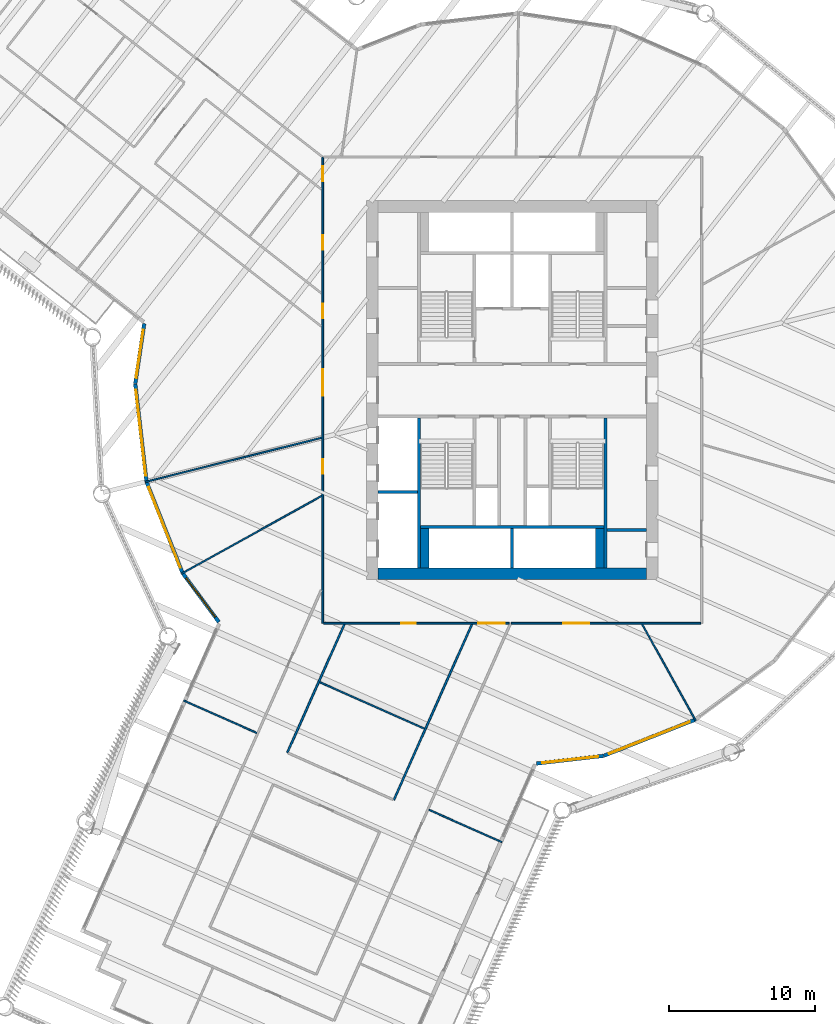
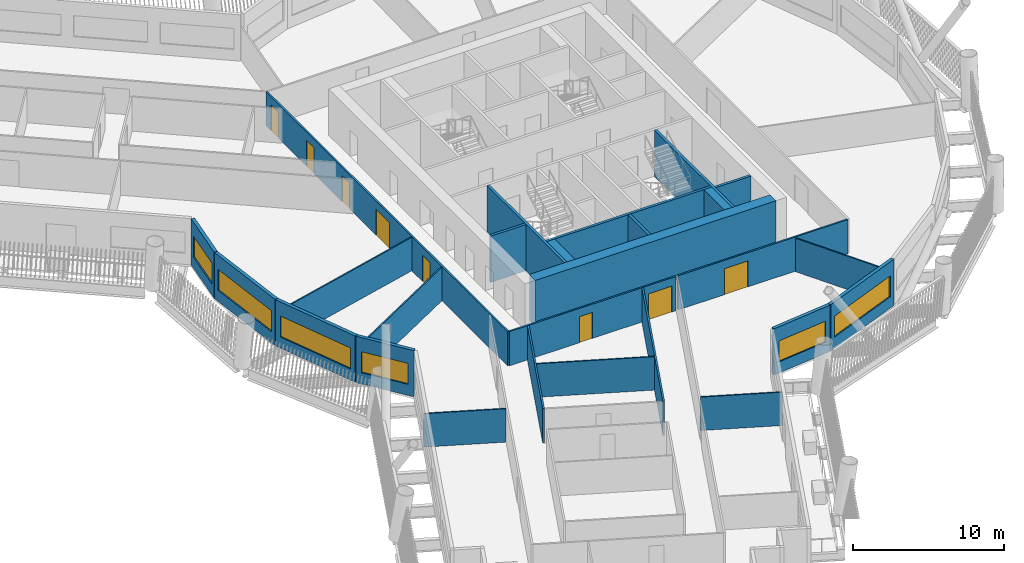
# One storey, part 4 of 22: 26 walls, 8 doors, 6 windows, 14 openings.
"""IFC4 building model written with IfcOpenShell, lengths in metres."""

import ifcopenshell
import ifcopenshell.guid

model = None  # the IFC model being written
_history = None  # IfcOwnerHistory: only IFC2X3 demands one
_inside = {}  # id of a spatial element -> (the spatial element, [elements in it])
_under = {}  # id of a project, library or spatial element -> (it, [spatial elements below it])
_declared = {}  # id of a project -> (the project, [libraries it declares])
_typed = {}  # id of a type object -> (the type object, [elements of that type])
_made_of = {}  # id of a material, layer set ... -> (it, [elements and type objects made of it])


def new_model(schema):
    """Start an empty IFC model of exactly this schema.

    Asked for "IFC4X3", IfcOpenShell would pick the latest addendum, in which some entities
    have other attributes; the version numbers below select the first issue.
    IFC2X3 requires an IfcOwnerHistory on every rooted entity: one is made here for all.
    """
    global model, _history
    if schema == "IFC4X3":
        model = ifcopenshell.file(schema_version=(4, 3, 0, 0))
    else:
        model = ifcopenshell.file(schema=schema)
    _inside.clear()
    _under.clear()
    _declared.clear()
    _typed.clear()
    _made_of.clear()
    _history = None
    if model.schema == "IFC2X3":
        org = make("IfcOrganization", Name="unknown")
        user = make(
            "IfcPersonAndOrganization",
            ThePerson=make("IfcPerson", FamilyName="unknown"),
            TheOrganization=org,
        )
        app = make(
            "IfcApplication",
            ApplicationDeveloper=org,
            Version="unknown",
            ApplicationFullName="unknown",
            ApplicationIdentifier="unknown",
        )
        _history = make(
            "IfcOwnerHistory",
            OwningUser=user,
            OwningApplication=app,
            ChangeAction="ADDED",
            CreationDate=0,
        )
    return model


def make(cls, **values):
    """One entity of the class cls with the attributes given. An attribute that is None is left unset."""
    return model.create_entity(
        cls, **{name: value for name, value in values.items() if value is not None}
    )


def rooted(cls, **values):
    """An entity with a GlobalId (a new one), such as an element, a storey or a relation."""
    return make(cls, GlobalId=ifcopenshell.guid.new(), OwnerHistory=_history, **values)


def si_unit(unit_type, name, prefix=None):
    """IfcSIUnit, for example si_unit("LENGTHUNIT", "METRE", prefix="MILLI")."""
    return make("IfcSIUnit", UnitType=unit_type, Prefix=prefix, Name=name)


def assignment(units):
    """IfcUnitAssignment: the units of a project."""
    return None if units is None else make("IfcUnitAssignment", Units=units)


def point(xyz):
    """IfcCartesianPoint."""
    return None if xyz is None else make("IfcCartesianPoint", Coordinates=xyz)


def direction(xyz):
    """IfcDirection."""
    return None if xyz is None else make("IfcDirection", DirectionRatios=xyz)


def frame(location, z_axis=None, x_axis=None):
    """IfcAxis2Placement3D, a coordinate frame: its origin and axes. An axis left out is left unset."""
    return make(
        "IfcAxis2Placement3D",
        Location=point(location),
        Axis=direction(z_axis),
        RefDirection=direction(x_axis),
    )


def frame_2d(location, x_axis=None):
    """IfcAxis2Placement2D, a coordinate frame in the plane: its origin and x axis."""
    return make(
        "IfcAxis2Placement2D", Location=point(location), RefDirection=direction(x_axis)
    )


def origin():
    """The frame at (0, 0, 0) with its axes left unset."""
    return frame((0.0, 0.0, 0.0))


def place(relative_to, where):
    """IfcLocalPlacement: puts the frame where relative to a parent placement (None: the world)."""
    return make(
        "IfcLocalPlacement", PlacementRelTo=relative_to, RelativePlacement=where
    )


def context(
    kind, dimensions, precision=None, world=None, true_north=None, identifier=None
):
    """IfcGeometricRepresentationContext, for example the 3D "Model" context."""
    return make(
        "IfcGeometricRepresentationContext",
        ContextIdentifier=identifier,
        ContextType=kind,
        CoordinateSpaceDimension=dimensions,
        Precision=precision,
        WorldCoordinateSystem=world,
        TrueNorth=true_north,
    )


def subcontext(parent, identifier, kind, view, scale=None):
    """IfcGeometricRepresentationSubContext, for example "Body" below "Model"."""
    return make(
        "IfcGeometricRepresentationSubContext",
        ContextIdentifier=identifier,
        ContextType=kind,
        ParentContext=parent,
        TargetScale=scale,
        TargetView=view,
    )


def project(units=None, contexts=None):
    """IfcProject with its units and contexts."""
    return rooted(
        "IfcProject",
        Name="project",
        RepresentationContexts=contexts,
        UnitsInContext=assignment(units),
    )


def spatial(cls, under=None, at=None, **own):
    """A site, building, storey or space (cls), placed at a placement, below another one or the project."""
    s = rooted(cls, ObjectPlacement=at, **own)
    if under is not None:
        _under.setdefault(under.id(), (under, []))[1].append(s)
    return s


def profile(cls, at=None, kind="AREA", **sizes):
    """A parametric profile (cls). Its sizes go by their IFC names, for example OverallWidth=200.0."""
    return make(cls, ProfileType=kind, Position=at, **sizes)


def rectangle(**sizes):
    """IfcRectangleProfileDef."""
    return profile("IfcRectangleProfileDef", **sizes)


def extrude(swept, where, along, depth):
    """IfcExtrudedAreaSolid: the profile swept, set in the frame where, extruded along a direction by depth."""
    return make(
        "IfcExtrudedAreaSolid",
        SweptArea=swept,
        Position=where,
        ExtrudedDirection=direction(along),
        Depth=depth,
    )


def shape(context_of_items, identifier, shape_type, items):
    """IfcShapeRepresentation: the items that make up one representation, for example the "Body"."""
    return make(
        "IfcShapeRepresentation",
        ContextOfItems=context_of_items,
        RepresentationIdentifier=identifier,
        RepresentationType=shape_type,
        Items=items,
    )


def material(Name=None, Category=None):
    """IfcMaterial."""
    return make("IfcMaterial", Name=Name, Category=Category)


def layer(
    of_material, thickness, ventilated=None, Name=None, Category=None, Priority=None
):
    """IfcMaterialLayer: one layer of a wall or slab, of a material (None: an air gap)."""
    return make(
        "IfcMaterialLayer",
        Material=of_material,
        LayerThickness=thickness,
        IsVentilated=ventilated,
        Name=Name,
        Category=Category,
        Priority=Priority,
    )


def layer_set(layers, Name=None):
    """IfcMaterialLayerSet."""
    return make("IfcMaterialLayerSet", MaterialLayers=layers, LayerSetName=Name)


def made_of(thing, what):
    """Note that an element or type object is made of a material, layer set ...; save() writes the relation."""
    if what is not None:
        _made_of.setdefault(what.id(), (what, []))[1].append(thing)
    return thing


def type_object(cls, material=None, **own):
    """A type object (cls), such as IfcWallType, which elements share."""
    return made_of(rooted(cls, **own), material)


def element(
    cls,
    number,
    at=None,
    inside=None,
    cuts=None,
    type_object=None,
    material=None,
    context=None,
    identifier="Body",
    shape_type=None,
    held_by="IfcProductDefinitionShape",
    body=None,
    shapes=None,
    **own,
):
    """One element of the class cls, such as IfcWall. Its Tag is "e" and its number.

    at: its placement. inside: the storey or other place that contains it. cuts: it is an
    opening in that element (IfcRelVoidsElement). A single representation is given by context,
    identifier, shape_type and body (its items); several are given by shapes. held_by: the class
    of the entity that holds the representations. save() writes the other relations.
    """
    e = rooted(cls, Tag="e%d" % number, ObjectPlacement=at, **own)
    if body is not None:
        shapes = [shape(context, identifier, shape_type, body)]
    if shapes is not None:
        e.Representation = make(held_by, Representations=shapes)
    if inside is not None:
        _inside.setdefault(inside.id(), (inside, []))[1].append(e)
    if cuts is not None:
        rooted(
            "IfcRelVoidsElement", RelatingBuildingElement=cuts, RelatedOpeningElement=e
        )
    if type_object is not None:
        _typed.setdefault(type_object.id(), (type_object, []))[1].append(e)
    return made_of(e, material)


def fill(opening, filler):
    """IfcRelFillsElement: the door or window that sits in an opening."""
    return rooted(
        "IfcRelFillsElement",
        RelatingOpeningElement=opening,
        RelatedBuildingElement=filler,
    )


def aggregate(whole, parts):
    """IfcRelAggregates: a whole, such as a stair, and the parts it consists of."""
    return rooted("IfcRelAggregates", RelatingObject=whole, RelatedObjects=parts)


def save(model, path):
    """Write the relations noted so far, then the file.

    IfcRelAggregates (storeys below a building ...), IfcRelContainedInSpatialStructure (elements
    in a storey), IfcRelDefinesByType, IfcRelAssociatesMaterial and IfcRelDeclares: one each for
    every whole, place, type object, material and project.
    """
    for whole, parts in _under.values():
        aggregate(whole, parts)
    for where, things in _inside.values():
        rooted(
            "IfcRelContainedInSpatialStructure",
            RelatedElements=things,
            RelatingStructure=where,
        )
    for kind, things in _typed.values():
        rooted("IfcRelDefinesByType", RelatedObjects=things, RelatingType=kind)
    for what, things in _made_of.values():
        rooted("IfcRelAssociatesMaterial", RelatedObjects=things, RelatingMaterial=what)
    for by, libraries in _declared.values():
        rooted("IfcRelDeclares", RelatingContext=by, RelatedDefinitions=libraries)
    model.write(path)


model = new_model("IFC4")

# Units and contexts
model_context = context("Model", 3, precision=1e-05, world=origin(), true_north=direction((0.0, 1.0)))
body_context = subcontext(model_context, "Body", "Model", "MODEL_VIEW")
ifc_project = project(units=[si_unit("LENGTHUNIT", "METRE"), si_unit("AREAUNIT", "SQUARE_METRE"), si_unit("VOLUMEUNIT", "CUBIC_METRE"), si_unit("PLANEANGLEUNIT", "RADIAN"), si_unit("MASSUNIT", "GRAM", prefix="KILO")], contexts=[model_context])

# Site, building, storey
site_placement = place(None, origin())
site = spatial("IfcSite", under=ifc_project, at=site_placement, CompositionType="ELEMENT")
building_placement = place(site_placement, origin())
building = spatial("IfcBuilding", under=site, at=building_placement, Name="Tarsis Ring Headquarters", CompositionType="ELEMENT")
storey_placement = place(building_placement, frame((0.0, 0.0, 116.199951171875)))
storey = spatial("IfcBuildingStorey", under=building, at=storey_placement, Name="L26", CompositionType="ELEMENT", Elevation=116.199951171875)

# Walls
ifc_material_1 = material(Name="Blockwork", Category="masonry")
ifc_layer_1 = layer(ifc_material_1, 0.199951171875)
ifc_layer_set_1 = layer_set([ifc_layer_1], Name="Core blockwork wall 200")
wall_type_1 = type_object("IfcWallType", Name="Core blockwork wall 200", PredefinedType="PARTITIONING", material=ifc_layer_set_1)
wall_1_placement = place(storey_placement, frame((6.5, -9.60009765625, 0.0), z_axis=(0.0, 0.0, 1.0), x_axis=(1.0, 0.0, 0.0)))
element("IfcWall", 1, at=wall_1_placement, inside=storey, type_object=wall_type_1, Name="Core partition ED1", PredefinedType="PARTITIONING", context=body_context, shape_type="SweptSolid", body=[
    extrude(rectangle(XDim=2.699951171875, YDim=0.199951171875, at=frame_2d((1.35009765625, 0.0))), origin(), (0.0, 0.0, 1.0), 3.739990234375),
])
ifc_material_2 = material(Name="Concrete C60/75", Category="concrete")
ifc_layer_2 = layer(ifc_material_2, 0.800048828125)
ifc_layer_set_2 = layer_set([ifc_layer_2], Name="Core wall 800 C60/75")
wall_type_2 = type_object("IfcWallType", Name="Core wall 800 C60/75", PredefinedType="SHEAR", material=ifc_layer_set_2)
wall_2_placement = place(storey_placement, frame((-9.199951171875, -12.60009765625, 0.0), z_axis=(0.0, 0.0, 1.0), x_axis=(1.0, 0.0, 0.0)))
element("IfcWall", 2, at=wall_2_placement, inside=storey, type_object=wall_type_2, Name="Core wall OS", PredefinedType="SHEAR", context=body_context, shape_type="SweptSolid", body=[
    extrude(rectangle(XDim=18.39990234375, YDim=0.800048828125, at=frame_2d((9.199951171875, 0.0))), origin(), (0.0, 0.0, 1.0), 3.739990234375),
])
ifc_material_3 = material(Name="Gypsum board on steel studs", Category="steel")
ifc_layer_3 = layer(ifc_material_3, 0.10009765625)
ifc_layer_set_3 = layer_set([ifc_layer_3], Name="FL partition 100 unrated")
wall_type_3 = type_object("IfcWallType", Name="FL partition 100 unrated", PredefinedType="PARTITIONING", material=ifc_layer_set_3)
wall_3_placement = place(storey_placement, frame((-25.172607421875, -6.294921875, 0.0), z_axis=(0.0, 0.0, 1.0), x_axis=(0.970125233154, 0.242604682557, 0.0)))
element("IfcWall", 3, at=wall_3_placement, inside=storey, type_object=wall_type_3, Name="Partition PW3", PredefinedType="PARTITIONING", context=body_context, shape_type="SweptSolid", body=[
    extrude(rectangle(XDim=12.4775390625, YDim=0.10009765625, at=frame_2d((6.23876953125, 0.0))), origin(), (0.0, 0.0, 1.0), 2.699951171875),
])
wall_4_placement = place(storey_placement, frame((-22.685791015625, -12.595703125, 0.0), z_axis=(0.0, 0.0, 1.0), x_axis=(0.87428614953, 0.485410886507, 0.0)))
element("IfcWall", 4, at=wall_4_placement, inside=storey, type_object=wall_type_3, Name="Partition PW3", PredefinedType="PARTITIONING", context=body_context, shape_type="SweptSolid", body=[
    extrude(rectangle(XDim=10.988525390625, YDim=0.10009765625, at=frame_2d((5.494140625, 0.0))), origin(), (0.0, 0.0, 1.0), 2.699951171875),
])
wall_5_placement = place(storey_placement, frame((-13.207763671875, -20.04345703125, 0.0), z_axis=(0.0, 0.0, 1.0), x_axis=(0.913829480145, -0.406098117723, 0.0)))
element("IfcWall", 5, at=wall_5_placement, inside=storey, type_object=wall_type_3, Name="Partition PW3", PredefinedType="PARTITIONING", context=body_context, shape_type="SweptSolid", body=[
    extrude(rectangle(XDim=7.85986328125, YDim=0.10009765625, at=frame_2d((3.929931640625, 0.0))), origin(), (0.0, 0.0, 1.0), 2.699951171875),
])
wall_6_placement = place(storey_placement, frame((8.92724609375, -16.07861328125, 0.0), z_axis=(0.0, 0.0, 1.0), x_axis=(0.485420739768, -0.874280678846, 0.0)))
element("IfcWall", 6, at=wall_6_placement, inside=storey, type_object=wall_type_3, Name="Partition PW3", PredefinedType="PARTITIONING", context=body_context, shape_type="SweptSolid", body=[
    extrude(rectangle(XDim=7.557373046875, YDim=0.10009765625, at=frame_2d((3.77880859375, 0.0))), origin(), (0.0, 0.0, 1.0), 2.699951171875),
])
for number, where, z_axis, x_axis, name in (
    (7, (-5.71826171875, -28.799560546875, 0.0), (0.0, 0.0, 1.0), (0.91383543019, -0.406084728265, 0.0), "Partition PW3"),
    (8, (-22.542724609375, -21.30078125, 0.0), (0.0, 0.0, 1.0), (0.913818896999, -0.406121931798, 0.0), "Partition PW3"),
):
    element("IfcWall", number, at=place(storey_placement, frame(where, z_axis=z_axis, x_axis=x_axis)), inside=storey, type_object=wall_type_3, Name=name, PredefinedType="PARTITIONING", context=body_context, shape_type="SweptSolid", body=[
        extrude(rectangle(XDim=5.47998046875, YDim=0.10009765625, at=frame_2d((2.739990234375, 0.0))), origin(), (0.0, 0.0, 1.0), 2.699951171875),
    ])

# Wall, openings, doors
ifc_layer_4 = layer(ifc_material_3, 0.125)
ifc_layer_set_4 = layer_set([ifc_layer_4], Name="FL partition 125 EI 60 H2770")
wall_type_4 = type_object("IfcWallType", Name="FL partition 125 EI 60 H2770", PredefinedType="PARTITIONING", material=ifc_layer_set_4)
wall_7_placement = place(storey_placement, frame((-13.0, -16.0, 0.0), z_axis=(0.0, 0.0, 1.0), x_axis=(0.0, 1.0, 0.0)))
wall_7 = element("IfcWall", 9, at=wall_7_placement, inside=storey, type_object=wall_type_4, Name="Partition PW1", PredefinedType="PARTITIONING", context=body_context, shape_type="SweptSolid", body=[
    extrude(rectangle(XDim=31.989013671875, YDim=0.125, at=frame_2d((15.99462890625, 0.0))), origin(), (0.0, 0.0, 1.0), 2.77001953125),
])
opening_1_placement = place(wall_7_placement, frame((10.265625, 0.0, 0.0)))
opening_1 = element("IfcOpeningElement", 10, at=opening_1_placement, cuts=wall_7, Name="Opening D26.14", PredefinedType="OPENING", context=body_context, shape_type="SweptSolid", body=[
    extrude(rectangle(XDim=1.0, YDim=2.10009765625, at=frame_2d((0.5, 1.050048828125))), frame((0.0, 0.072509765625, 0.0), z_axis=(0.0, -1.0, 0.0), x_axis=(1.0, 0.0, 0.0)), (0.0, 0.0, 1.0), 0.14501953125),
])
opening_2_placement = place(wall_7_placement, frame((15.6220703125, 0.0, 0.0)))
opening_2 = element("IfcOpeningElement", 11, at=opening_2_placement, cuts=wall_7, Name="Opening D26.15", PredefinedType="OPENING", context=body_context, shape_type="SweptSolid", body=[
    extrude(rectangle(XDim=1.800048828125, YDim=2.10009765625, at=frame_2d((0.89990234375, 1.050048828125))), frame((0.0, 0.072509765625, 0.0), z_axis=(0.0, -1.0, 0.0), x_axis=(1.0, 0.0, 0.0)), (0.0, 0.0, 1.0), 0.14501953125),
])
opening_3_placement = place(wall_7_placement, frame((25.64208984375, 0.0, 0.0)))
opening_3 = element("IfcOpeningElement", 12, at=opening_3_placement, cuts=wall_7, Name="Opening D26.16", PredefinedType="OPENING", context=body_context, shape_type="SweptSolid", body=[
    extrude(rectangle(XDim=1.0, YDim=2.10009765625, at=frame_2d((0.5, 1.050048828125))), frame((0.0, 0.072509765625, 0.0), z_axis=(0.0, -1.0, 0.0), x_axis=(1.0, 0.0, 0.0)), (0.0, 0.0, 1.0), 0.14501953125),
])
opening_4_placement = place(wall_7_placement, frame((20.9365234375, 0.0, 0.0)))
opening_4 = element("IfcOpeningElement", 13, at=opening_4_placement, cuts=wall_7, Name="Opening D26.24", PredefinedType="OPENING", context=body_context, shape_type="SweptSolid", body=[
    extrude(rectangle(XDim=1.0, YDim=2.10009765625, at=frame_2d((0.5, 1.050048828125))), frame((0.0, 0.072509765625, 0.0), z_axis=(0.0, -1.0, 0.0), x_axis=(1.0, 0.0, 0.0)), (0.0, 0.0, 1.0), 0.14501953125),
])
opening_5_placement = place(wall_7_placement, frame((30.34765625, 0.0, 0.0)))
opening_5 = element("IfcOpeningElement", 14, at=opening_5_placement, cuts=wall_7, Name="Opening D26.25", PredefinedType="OPENING", context=body_context, shape_type="SweptSolid", body=[
    extrude(rectangle(XDim=1.0, YDim=2.10009765625, at=frame_2d((0.5, 1.050048828125))), frame((0.0, 0.072509765625, 0.0), z_axis=(0.0, -1.0, 0.0), x_axis=(1.0, 0.0, 0.0)), (0.0, 0.0, 1.0), 0.14501953125),
])
ifc_material_4 = material(Name="Fire-rated timber door leaf in steel frame", Category="steel")
door_type_1 = type_object("IfcDoorType", Name="FL door FD60-1000", OperationType="NOTDEFINED", PredefinedType="DOOR", material=ifc_material_4)
door_1_placement = place(opening_1_placement, origin())
door_1 = element("IfcDoor", 15, at=door_1_placement, inside=storey, type_object=door_type_1, Name="Door D26.14", OperationType="SINGLE_SWING_RIGHT", OverallHeight=2.10009765625, OverallWidth=1.0, PredefinedType="DOOR", context=body_context, shape_type="SweptSolid", body=[
    extrude(rectangle(XDim=1.0, YDim=2.10009765625, at=frame_2d((0.5, 1.050048828125))), frame((0.0, 0.02490234375, 0.0), z_axis=(0.0, -1.0, 0.0), x_axis=(1.0, 0.0, 0.0)), (0.0, 0.0, 1.0), 0.050048828125),
])
fill(opening_1, door_1)
door_2_placement = place(opening_3_placement, origin())
door_2 = element("IfcDoor", 16, at=door_2_placement, inside=storey, type_object=door_type_1, Name="Door D26.16", OperationType="SINGLE_SWING_RIGHT", OverallHeight=2.10009765625, OverallWidth=1.0, PredefinedType="DOOR", context=body_context, shape_type="SweptSolid", body=[
    extrude(rectangle(XDim=1.0, YDim=2.10009765625, at=frame_2d((0.5, 1.050048828125))), frame((0.0, 0.02490234375, 0.0), z_axis=(0.0, -1.0, 0.0), x_axis=(1.0, 0.0, 0.0)), (0.0, 0.0, 1.0), 0.050048828125),
])
fill(opening_3, door_2)
door_3_placement = place(opening_4_placement, origin())
door_3 = element("IfcDoor", 17, at=door_3_placement, inside=storey, type_object=door_type_1, Name="Door D26.24", OperationType="SINGLE_SWING_RIGHT", OverallHeight=2.10009765625, OverallWidth=1.0, PredefinedType="DOOR", context=body_context, shape_type="SweptSolid", body=[
    extrude(rectangle(XDim=1.0, YDim=2.10009765625, at=frame_2d((0.5, 1.050048828125))), frame((0.0, 0.02490234375, 0.0), z_axis=(0.0, -1.0, 0.0), x_axis=(1.0, 0.0, 0.0)), (0.0, 0.0, 1.0), 0.050048828125),
])
fill(opening_4, door_3)
door_4_placement = place(opening_5_placement, origin())
door_4 = element("IfcDoor", 18, at=door_4_placement, inside=storey, type_object=door_type_1, Name="Door D26.25", OperationType="SINGLE_SWING_LEFT", OverallHeight=2.10009765625, OverallWidth=1.0, PredefinedType="DOOR", context=body_context, shape_type="SweptSolid", body=[
    extrude(rectangle(XDim=1.0, YDim=2.10009765625, at=frame_2d((0.5, 1.050048828125))), frame((0.0, 0.02490234375, 0.0), z_axis=(0.0, -1.0, 0.0), x_axis=(1.0, 0.0, 0.0)), (0.0, 0.0, 1.0), 0.050048828125),
])
fill(opening_5, door_4)
door_type_2 = type_object("IfcDoorType", Name="FL door FD60-1800", OperationType="DOUBLE_DOOR_SINGLE_SWING", PredefinedType="DOOR", material=ifc_material_4)
door_5_placement = place(opening_2_placement, origin())
door_5 = element("IfcDoor", 19, at=door_5_placement, inside=storey, type_object=door_type_2, Name="Door D26.15", OperationType="DOUBLE_DOOR_SINGLE_SWING", OverallHeight=2.10009765625, OverallWidth=1.800048828125, PredefinedType="DOOR", context=body_context, shape_type="SweptSolid", body=[
    extrude(rectangle(XDim=1.800048828125, YDim=2.10009765625, at=frame_2d((0.89990234375, 1.050048828125))), frame((0.0, 0.02490234375, 0.0), z_axis=(0.0, -1.0, 0.0), x_axis=(1.0, 0.0, 0.0)), (0.0, 0.0, 1.0), 0.050048828125),
])
fill(opening_2, door_5)

wall_8_placement = place(storey_placement, frame((-12.93994140625, -16.0, 0.0), z_axis=(0.0, 0.0, 1.0), x_axis=(1.0, 0.0, 0.0)))
wall_8 = element("IfcWall", 20, at=wall_8_placement, inside=storey, type_object=wall_type_4, Name="Partition PW1", PredefinedType="PARTITIONING", context=body_context, shape_type="SweptSolid", body=[
    extrude(rectangle(XDim=12.737060546875, YDim=0.125, at=frame_2d((6.36865234375, 0.0))), origin(), (0.0, 0.0, 1.0), 2.77001953125),
])
opening_6_placement = place(wall_8_placement, frame((5.32958984375, 0.0, 0.0)))
opening_6 = element("IfcOpeningElement", 21, at=opening_6_placement, cuts=wall_8, Name="Opening D26.18", PredefinedType="OPENING", context=body_context, shape_type="SweptSolid", body=[
    extrude(rectangle(XDim=1.0, YDim=2.10009765625, at=frame_2d((0.5, 1.050048828125))), frame((0.0, 0.072509765625, 0.0), z_axis=(0.0, -1.0, 0.0), x_axis=(1.0, 0.0, 0.0)), (0.0, 0.0, 1.0), 0.14501953125),
])
opening_7_placement = place(wall_8_placement, frame((10.6201171875, 0.0, 0.0)))
opening_7 = element("IfcOpeningElement", 22, at=opening_7_placement, cuts=wall_8, Name="Opening D26.23", PredefinedType="OPENING", context=body_context, shape_type="SweptSolid", body=[
    extrude(rectangle(XDim=1.800048828125, YDim=2.10009765625, at=frame_2d((0.89990234375, 1.050048828125))), frame((0.0, 0.072509765625, 0.0), z_axis=(0.0, -1.0, 0.0), x_axis=(1.0, 0.0, 0.0)), (0.0, 0.0, 1.0), 0.14501953125),
])
door_6_placement = place(opening_6_placement, origin())
door_6 = element("IfcDoor", 23, at=door_6_placement, inside=storey, type_object=door_type_1, Name="Door D26.18", OperationType="SINGLE_SWING_RIGHT", OverallHeight=2.10009765625, OverallWidth=1.0, PredefinedType="DOOR", context=body_context, shape_type="SweptSolid", body=[
    extrude(rectangle(XDim=1.0, YDim=2.10009765625, at=frame_2d((0.5, 1.050048828125))), frame((0.0, 0.02490234375, 0.0), z_axis=(0.0, -1.0, 0.0), x_axis=(1.0, 0.0, 0.0)), (0.0, 0.0, 1.0), 0.050048828125),
])
fill(opening_6, door_6)
door_7_placement = place(opening_7_placement, origin())
door_7 = element("IfcDoor", 24, at=door_7_placement, inside=storey, type_object=door_type_2, Name="Door D26.23", OperationType="DOUBLE_DOOR_SINGLE_SWING", OverallHeight=2.10009765625, OverallWidth=1.800048828125, PredefinedType="DOOR", context=body_context, shape_type="SweptSolid", body=[
    extrude(rectangle(XDim=1.800048828125, YDim=2.10009765625, at=frame_2d((0.89990234375, 1.050048828125))), frame((0.0, 0.02490234375, 0.0), z_axis=(0.0, -1.0, 0.0), x_axis=(1.0, 0.0, 0.0)), (0.0, 0.0, 1.0), 0.050048828125),
])
fill(opening_7, door_7)

# Wall, opening, door
wall_9_placement = place(storey_placement, frame((-0.0498046875, -16.0, 0.0), z_axis=(0.0, 0.0, 1.0), x_axis=(1.0, 0.0, 0.0)))
wall_9 = element("IfcWall", 25, at=wall_9_placement, inside=storey, type_object=wall_type_4, Name="Partition PW1", PredefinedType="PARTITIONING", context=body_context, shape_type="SweptSolid", body=[
    extrude(rectangle(XDim=12.98974609375, YDim=0.125, at=frame_2d((6.494873046875, 0.0))), origin(), (0.0, 0.0, 1.0), 2.77001953125),
])
opening_8_placement = place(wall_9_placement, frame((3.5380859375, 0.0, 0.0)))
opening_8 = element("IfcOpeningElement", 26, at=opening_8_placement, cuts=wall_9, Name="Opening D26.09", PredefinedType="OPENING", context=body_context, shape_type="SweptSolid", body=[
    extrude(rectangle(XDim=1.800048828125, YDim=2.10009765625, at=frame_2d((0.89990234375, 1.050048828125))), frame((0.0, 0.072509765625, 0.0), z_axis=(0.0, -1.0, 0.0), x_axis=(1.0, 0.0, 0.0)), (0.0, 0.0, 1.0), 0.14501953125),
])
door_8_placement = place(opening_8_placement, origin())
door_8 = element("IfcDoor", 27, at=door_8_placement, inside=storey, type_object=door_type_2, Name="Door D26.09", OperationType="DOUBLE_DOOR_SINGLE_SWING", OverallHeight=2.10009765625, OverallWidth=1.800048828125, PredefinedType="DOOR", context=body_context, shape_type="SweptSolid", body=[
    extrude(rectangle(XDim=1.800048828125, YDim=2.10009765625, at=frame_2d((0.89990234375, 1.050048828125))), frame((0.0, 0.02490234375, 0.0), z_axis=(0.0, -1.0, 0.0), x_axis=(1.0, 0.0, 0.0)), (0.0, 0.0, 1.0), 0.050048828125),
])
fill(opening_8, door_8)

# Walls
wall_10_placement = place(storey_placement, frame((-8.12158203125, -28.12548828125, 0.0), z_axis=(0.0, 0.0, 1.0), x_axis=(0.406107526972, 0.913825298696, 0.0)))
element("IfcWall", 28, at=wall_10_placement, inside=storey, type_object=wall_type_4, Name="Partition PW1", PredefinedType="PARTITIONING", context=body_context, shape_type="SweptSolid", body=[
    extrude(rectangle(XDim=13.178955078125, YDim=0.125, at=frame_2d((6.58935546875, 0.0))), origin(), (0.0, 0.0, 1.0), 2.77001953125),
])
wall_11_placement = place(storey_placement, frame((-15.43212890625, -24.876708984375, 0.0), z_axis=(0.0, 0.0, 1.0), x_axis=(0.406100805083, 0.9138282859, 0.0)))
element("IfcWall", 29, at=wall_11_placement, inside=storey, type_object=wall_type_4, Name="Partition PW1", PredefinedType="PARTITIONING", context=body_context, shape_type="SweptSolid", body=[
    extrude(rectangle(XDim=9.623779296875, YDim=0.125, at=frame_2d((4.81201171875, 0.0))), origin(), (0.0, 0.0, 1.0), 2.77001953125),
])

# Wall, opening, window
ifc_material_5 = material(Name="Terracotta clad insulated panel wall", Category="masonry")
ifc_layer_5 = layer(ifc_material_5, 0.25)
ifc_layer_set_5 = layer_set([ifc_layer_5], Name="Facade wall terracotta panel 250")
wall_type_5 = type_object("IfcWallType", Name="Facade wall terracotta panel 250", PredefinedType="STANDARD", material=ifc_layer_set_5)
wall_12_placement = place(storey_placement, frame((-25.256103515625, 4.56201171875, 0.0), z_axis=(0.0, 0.0, 1.0), x_axis=(-0.147157292627, -0.989113103354, 0.0)))
wall_12 = element("IfcWall", 30, at=wall_12_placement, inside=storey, type_object=wall_type_5, Name="External wall L26-02", PredefinedType="STANDARD", context=body_context, shape_type="SweptSolid", body=[
    extrude(rectangle(XDim=4.157470703125, YDim=0.25, at=frame_2d((2.07861328125, 0.0))), origin(), (0.0, 0.0, 1.0), 3.739990234375),
])
opening_9_placement = place(wall_12_placement, frame((0.420166015625, 0.0, 0.89990234375)))
opening_9 = element("IfcOpeningElement", 31, at=opening_9_placement, cuts=wall_12, Name="Opening WN01", PredefinedType="OPENING", context=body_context, shape_type="SweptSolid", body=[
    extrude(rectangle(XDim=3.35009765625, YDim=1.699951171875, at=frame_2d((1.675048828125, 0.85009765625))), frame((0.0, 0.135009765625, 0.0), z_axis=(0.0, -1.0, 0.0), x_axis=(1.0, 0.0, 0.0)), (0.0, 0.0, 1.0), 0.27001953125),
])
ifc_material_6 = material(Name="Aluminium framed double glazing", Category="aluminium")
window_type_1 = type_object("IfcWindowType", Name="Facade window 3350 x 1700", PartitioningType="SINGLE_PANEL", PredefinedType="WINDOW", material=ifc_material_6)
window_1_placement = place(opening_9_placement, origin())
window_1 = element("IfcWindow", 32, at=window_1_placement, inside=storey, type_object=window_type_1, Name="Window L26-02.1", OverallHeight=1.699951171875, OverallWidth=3.35009765625, PartitioningType="SINGLE_PANEL", PredefinedType="WINDOW", context=body_context, shape_type="SweptSolid", body=[
    extrude(rectangle(XDim=3.35009765625, YDim=1.699951171875, at=frame_2d((1.675048828125, 0.85009765625))), frame((0.0, 0.030029296875, 0.0), z_axis=(0.0, -1.0, 0.0), x_axis=(1.0, 0.0, 0.0)), (0.0, 0.0, 1.0), 0.06005859375),
])
fill(opening_9, window_1)

wall_13_placement = place(storey_placement, frame((-25.868408203125, 0.417236328125, 0.0), z_axis=(0.0, 0.0, 1.0), x_axis=(0.113903063596, -0.993491868162, 0.0)))
wall_13 = element("IfcWall", 33, at=wall_13_placement, inside=storey, type_object=wall_type_5, Name="External wall L26-03", PredefinedType="STANDARD", context=body_context, shape_type="SweptSolid", body=[
    extrude(rectangle(XDim=6.7216796875, YDim=0.25, at=frame_2d((3.36083984375, 0.0))), origin(), (0.0, 0.0, 1.0), 3.739990234375),
])
opening_10_placement = place(wall_13_placement, frame((0.3857421875, 0.0, 0.89990234375)))
opening_10 = element("IfcOpeningElement", 34, at=opening_10_placement, cuts=wall_13, Name="Opening WN07", PredefinedType="OPENING", context=body_context, shape_type="SweptSolid", body=[
    extrude(rectangle(XDim=5.949951171875, YDim=1.699951171875, at=frame_2d((2.97509765625, 0.85009765625))), frame((0.0, 0.135009765625, 0.0), z_axis=(0.0, -1.0, 0.0), x_axis=(1.0, 0.0, 0.0)), (0.0, 0.0, 1.0), 0.27001953125),
])
window_type_2 = type_object("IfcWindowType", Name="Facade window 5950 x 1700", PartitioningType="SINGLE_PANEL", PredefinedType="WINDOW", material=ifc_material_6)
window_2_placement = place(opening_10_placement, origin())
window_2 = element("IfcWindow", 35, at=window_2_placement, inside=storey, type_object=window_type_2, Name="Window L26-03.1", OverallHeight=1.699951171875, OverallWidth=5.949951171875, PartitioningType="SINGLE_PANEL", PredefinedType="WINDOW", context=body_context, shape_type="SweptSolid", body=[
    extrude(rectangle(XDim=5.949951171875, YDim=1.699951171875, at=frame_2d((2.97509765625, 0.85009765625))), frame((0.0, 0.030029296875, 0.0), z_axis=(0.0, -1.0, 0.0), x_axis=(1.0, 0.0, 0.0)), (0.0, 0.0, 1.0), 0.06005859375),
])
fill(opening_10, window_2)

wall_14_placement = place(storey_placement, frame((-25.094970703125, -6.292236328125, 0.0), z_axis=(0.0, 0.0, 1.0), x_axis=(0.367140898229, -0.930165340597, 0.0)))
wall_14 = element("IfcWall", 36, at=wall_14_placement, inside=storey, type_object=wall_type_5, Name="External wall L26-04", PredefinedType="STANDARD", context=body_context, shape_type="SweptSolid", body=[
    extrude(rectangle(XDim=6.7216796875, YDim=0.25, at=frame_2d((3.36083984375, 0.0))), origin(), (0.0, 0.0, 1.0), 3.739990234375),
])
opening_11_placement = place(wall_14_placement, frame((0.3857421875, 0.0, 0.89990234375)))
opening_11 = element("IfcOpeningElement", 37, at=opening_11_placement, cuts=wall_14, Name="Opening WN07", PredefinedType="OPENING", context=body_context, shape_type="SweptSolid", body=[
    extrude(rectangle(XDim=5.949951171875, YDim=1.699951171875, at=frame_2d((2.97509765625, 0.85009765625))), frame((0.0, 0.135009765625, 0.0), z_axis=(0.0, -1.0, 0.0), x_axis=(1.0, 0.0, 0.0)), (0.0, 0.0, 1.0), 0.27001953125),
])
window_3_placement = place(opening_11_placement, origin())
window_3 = element("IfcWindow", 38, at=window_3_placement, inside=storey, type_object=window_type_2, Name="Window L26-04.1", OverallHeight=1.699951171875, OverallWidth=5.949951171875, PartitioningType="SINGLE_PANEL", PredefinedType="WINDOW", context=body_context, shape_type="SweptSolid", body=[
    extrude(rectangle(XDim=5.949951171875, YDim=1.699951171875, at=frame_2d((2.97509765625, 0.85009765625))), frame((0.0, 0.030029296875, 0.0), z_axis=(0.0, -1.0, 0.0), x_axis=(1.0, 0.0, 0.0)), (0.0, 0.0, 1.0), 0.06005859375),
])
fill(opening_11, window_3)

wall_15_placement = place(storey_placement, frame((-22.611328125, -12.572998046875, 0.0), z_axis=(0.0, 0.0, 1.0), x_axis=(0.595386229884, -0.803439628886, 0.0)))
wall_15 = element("IfcWall", 39, at=wall_15_placement, inside=storey, type_object=wall_type_5, Name="External wall L26-05", PredefinedType="STANDARD", context=body_context, shape_type="SweptSolid", body=[
    extrude(rectangle(XDim=4.157470703125, YDim=0.25, at=frame_2d((2.07861328125, 0.0))), origin(), (0.0, 0.0, 1.0), 3.739990234375),
])
opening_12_placement = place(wall_15_placement, frame((0.38720703125, 0.0, 0.89990234375)))
opening_12 = element("IfcOpeningElement", 40, at=opening_12_placement, cuts=wall_15, Name="Opening WN01", PredefinedType="OPENING", context=body_context, shape_type="SweptSolid", body=[
    extrude(rectangle(XDim=3.35009765625, YDim=1.699951171875, at=frame_2d((1.675048828125, 0.85009765625))), frame((0.0, 0.135009765625, 0.0), z_axis=(0.0, -1.0, 0.0), x_axis=(1.0, 0.0, 0.0)), (0.0, 0.0, 1.0), 0.27001953125),
])
window_4_placement = place(opening_12_placement, origin())
window_4 = element("IfcWindow", 41, at=window_4_placement, inside=storey, type_object=window_type_1, Name="Window L26-05.1", OverallHeight=1.699951171875, OverallWidth=3.35009765625, PartitioningType="SINGLE_PANEL", PredefinedType="WINDOW", context=body_context, shape_type="SweptSolid", body=[
    extrude(rectangle(XDim=3.35009765625, YDim=1.699951171875, at=frame_2d((1.675048828125, 0.85009765625))), frame((0.0, 0.030029296875, 0.0), z_axis=(0.0, -1.0, 0.0), x_axis=(1.0, 0.0, 0.0)), (0.0, 0.0, 1.0), 0.06005859375),
])
fill(opening_12, window_4)

wall_16_placement = place(storey_placement, frame((1.6728515625, -25.62890625, 0.0), z_axis=(0.0, 0.0, 1.0), x_axis=(0.993488805093, 0.113929777298, 0.0)))
wall_16 = element("IfcWall", 42, at=wall_16_placement, inside=storey, type_object=wall_type_5, Name="External wall L26-17", PredefinedType="STANDARD", context=body_context, shape_type="SweptSolid", body=[
    extrude(rectangle(XDim=4.617919921875, YDim=0.25, at=frame_2d((2.30908203125, 0.0))), origin(), (0.0, 0.0, 1.0), 3.739990234375),
])
opening_13_placement = place(wall_16_placement, frame((0.400390625, 0.0, 0.89990234375)))
opening_13 = element("IfcOpeningElement", 43, at=opening_13_placement, cuts=wall_16, Name="Opening WN02", PredefinedType="OPENING", context=body_context, shape_type="SweptSolid", body=[
    extrude(rectangle(XDim=3.85009765625, YDim=1.699951171875, at=frame_2d((1.925048828125, 0.85009765625))), frame((0.0, 0.135009765625, 0.0), z_axis=(0.0, -1.0, 0.0), x_axis=(1.0, 0.0, 0.0)), (0.0, 0.0, 1.0), 0.27001953125),
])
window_type_3 = type_object("IfcWindowType", Name="Facade window 3850 x 1700", PartitioningType="SINGLE_PANEL", PredefinedType="WINDOW", material=ifc_material_6)
window_5_placement = place(opening_13_placement, origin())
window_5 = element("IfcWindow", 44, at=window_5_placement, inside=storey, type_object=window_type_3, Name="Window L26-17.1", OverallHeight=1.699951171875, OverallWidth=3.85009765625, PartitioningType="SINGLE_PANEL", PredefinedType="WINDOW", context=body_context, shape_type="SweptSolid", body=[
    extrude(rectangle(XDim=3.85009765625, YDim=1.699951171875, at=frame_2d((1.925048828125, 0.85009765625))), frame((0.0, 0.030029296875, 0.0), z_axis=(0.0, -1.0, 0.0), x_axis=(1.0, 0.0, 0.0)), (0.0, 0.0, 1.0), 0.06005859375),
])
fill(opening_13, window_5)

wall_17_placement = place(storey_placement, frame((6.292236328125, -25.094970703125, 0.0), z_axis=(0.0, 0.0, 1.0), x_axis=(0.930165340597, 0.367140898229, 0.0)))
wall_17 = element("IfcWall", 45, at=wall_17_placement, inside=storey, type_object=wall_type_5, Name="External wall L26-18", PredefinedType="STANDARD", context=body_context, shape_type="SweptSolid", body=[
    extrude(rectangle(XDim=6.7216796875, YDim=0.25, at=frame_2d((3.36083984375, 0.0))), origin(), (0.0, 0.0, 1.0), 3.739990234375),
])
opening_14_placement = place(wall_17_placement, frame((0.3857421875, 0.0, 0.89990234375)))
opening_14 = element("IfcOpeningElement", 46, at=opening_14_placement, cuts=wall_17, Name="Opening WN07", PredefinedType="OPENING", context=body_context, shape_type="SweptSolid", body=[
    extrude(rectangle(XDim=5.949951171875, YDim=1.699951171875, at=frame_2d((2.97509765625, 0.85009765625))), frame((0.0, 0.135009765625, 0.0), z_axis=(0.0, -1.0, 0.0), x_axis=(1.0, 0.0, 0.0)), (0.0, 0.0, 1.0), 0.27001953125),
])
window_6_placement = place(opening_14_placement, origin())
window_6 = element("IfcWindow", 47, at=window_6_placement, inside=storey, type_object=window_type_2, Name="Window L26-18.1", OverallHeight=1.699951171875, OverallWidth=5.949951171875, PartitioningType="SINGLE_PANEL", PredefinedType="WINDOW", context=body_context, shape_type="SweptSolid", body=[
    extrude(rectangle(XDim=5.949951171875, YDim=1.699951171875, at=frame_2d((2.97509765625, 0.85009765625))), frame((0.0, 0.030029296875, 0.0), z_axis=(0.0, -1.0, 0.0), x_axis=(1.0, 0.0, 0.0)), (0.0, 0.0, 1.0), 0.06005859375),
])
fill(opening_14, window_6)

# Walls
ifc_material_7 = material(Name="Concrete C32/40", Category="concrete")
ifc_layer_6 = layer(ifc_material_7, 0.60009765625)
ifc_layer_set_6 = layer_set([ifc_layer_6], Name="Shaft end wall 600 C32/40")
wall_type_6 = type_object("IfcWallType", Name="Shaft end wall 600 C32/40", PredefinedType="SOLIDWALL", material=ifc_layer_set_6)
for number, where, z_axis, x_axis, name in (
    (48, (-6.0, -12.199951171875, 0.0), (0.0, 0.0, 1.0), (0.0, 1.0, 0.0), "Core shaft wall SNE1"),
    (49, (6.0, -12.199951171875, 0.0), (0.0, 0.0, 1.0), (0.0, 1.0, 0.0), "Core shaft wall SNE2"),
):
    element("IfcWall", number, at=place(storey_placement, frame(where, z_axis=z_axis, x_axis=x_axis)), inside=storey, type_object=wall_type_6, Name=name, PredefinedType="SOLIDWALL", context=body_context, shape_type="SweptSolid", body=[
        extrude(rectangle(XDim=2.699951171875, YDim=0.60009765625, at=frame_2d((1.35009765625, 0.0))), origin(), (0.0, 0.0, 1.0), 3.739990234375),
    ])
ifc_layer_7 = layer(ifc_material_7, 0.199951171875)
ifc_layer_set_7 = layer_set([ifc_layer_7], Name="Shaft wall 200 C32/40")
wall_type_7 = type_object("IfcWallType", Name="Shaft wall 200 C32/40", PredefinedType="SOLIDWALL", material=ifc_layer_set_7)
for number, where, z_axis, x_axis, name in (
    (50, (-6.39990234375, -12.199951171875, 0.0), (0.0, 0.0, 1.0), (0.0, 1.0, 0.0), "Core shaft wall WB1"),
    (51, (6.39990234375, -12.199951171875, 0.0), (0.0, 0.0, 1.0), (0.0, 1.0, 0.0), "Core shaft wall EB1"),
):
    element("IfcWall", number, at=place(storey_placement, frame(where, z_axis=z_axis, x_axis=x_axis)), inside=storey, type_object=wall_type_7, Name=name, PredefinedType="SOLIDWALL", context=body_context, shape_type="SweptSolid", body=[
        extrude(rectangle(XDim=10.300048828125, YDim=0.199951171875, at=frame_2d((5.14990234375, 0.0))), origin(), (0.0, 0.0, 1.0), 3.739990234375),
    ])
wall_18_placement = place(storey_placement, frame((-6.300048828125, -9.39990234375, 0.0), z_axis=(0.0, 0.0, 1.0), x_axis=(1.0, 0.0, 0.0)))
element("IfcWall", 52, at=wall_18_placement, inside=storey, type_object=wall_type_7, Name="Core shaft wall SB", PredefinedType="SOLIDWALL", context=body_context, shape_type="SweptSolid", body=[
    extrude(rectangle(XDim=12.60009765625, YDim=0.199951171875, at=frame_2d((6.300048828125, 0.0))), origin(), (0.0, 0.0, 1.0), 3.739990234375),
])
for number, where, z_axis, x_axis, name in (
    (53, (-9.199951171875, -7.0, 0.0), (0.0, 0.0, 1.0), (1.0, 0.0, 0.0), "Core shaft wall WD2"),
    (54, (0.0, -12.199951171875, 0.0), (0.0, 0.0, 1.0), (0.0, 1.0, 0.0), "Core shaft wall SD2"),
):
    element("IfcWall", number, at=place(storey_placement, frame(where, z_axis=z_axis, x_axis=x_axis)), inside=storey, type_object=wall_type_7, Name=name, PredefinedType="SOLIDWALL", context=body_context, shape_type="SweptSolid", body=[
        extrude(rectangle(XDim=2.699951171875, YDim=0.199951171875, at=frame_2d((1.35009765625, 0.0))), origin(), (0.0, 0.0, 1.0), 3.739990234375),
    ])

save(model, "model.ifc")
